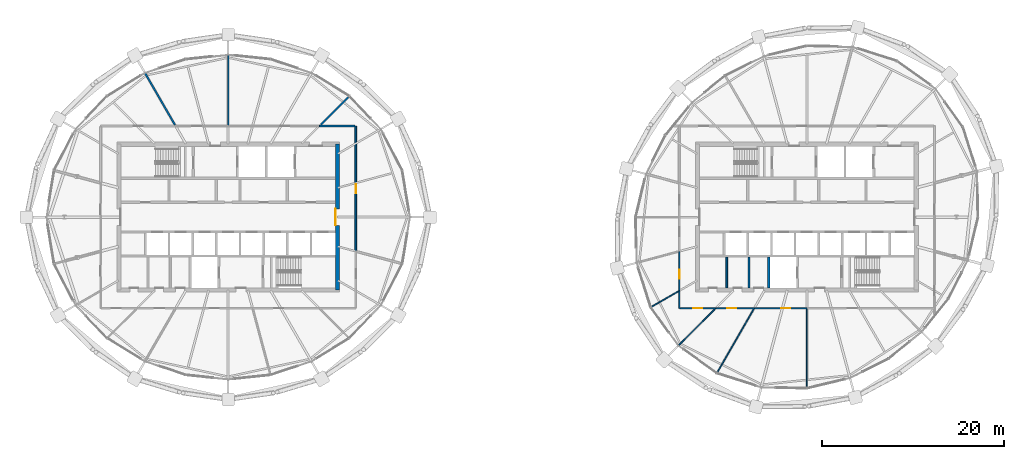
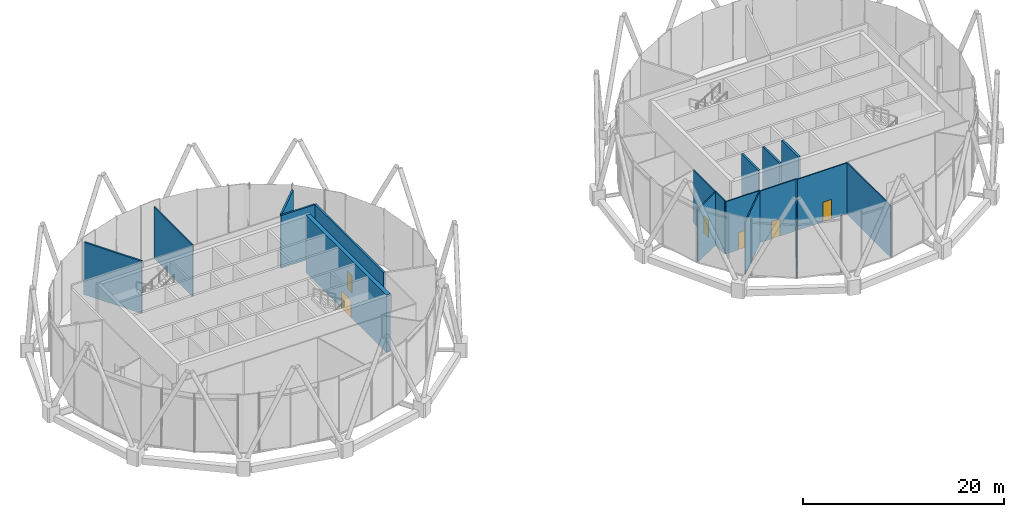
# One storey, part 20 of 28: 18 walls, 6 doors, 6 openings.
"""IFC4 building model written with IfcOpenShell, lengths in metres."""

from ifc_helpers import new_model, si_unit, direction, frame, frame_2d, origin, place, context, subcontext, project, spatial, rectangle, extrude, material, layer, layer_set, type_object, element, fill, save


model = new_model("IFC4")

# Units and contexts
model_context = context("Model", 3, precision=1e-05, world=origin(), true_north=direction((0.0, 1.0)))
body_context = subcontext(model_context, "Body", "Model", "MODEL_VIEW")
ifc_project = project(units=[si_unit("LENGTHUNIT", "METRE"), si_unit("AREAUNIT", "SQUARE_METRE"), si_unit("VOLUMEUNIT", "CUBIC_METRE"), si_unit("PLANEANGLEUNIT", "RADIAN"), si_unit("MASSUNIT", "GRAM", prefix="KILO")], contexts=[model_context])

# Site, building, storey
site_placement = place(None, origin())
site = spatial("IfcSite", under=ifc_project, at=site_placement, CompositionType="ELEMENT")
building_placement = place(site_placement, origin())
building = spatial("IfcBuilding", under=site, at=building_placement, Name="Rimbun Link Towers", CompositionType="ELEMENT")
storey_placement = place(building_placement, frame((0.0, 0.0, 256.10009765625)))
storey = spatial("IfcBuildingStorey", under=building, at=storey_placement, Name="L63", CompositionType="ELEMENT", Elevation=256.10009765625)

# Walls
ifc_material_1 = material(Name="Masonry blockwork", Category="masonry")
ifc_layer_1 = layer(ifc_material_1, 0.199951171875)
ifc_layer_set_1 = layer_set([ifc_layer_1], Name="Core partition 200")
wall_type_1 = type_object("IfcWallType", Name="Core partition 200", PredefinedType="PARTITIONING", material=ifc_layer_set_1)
for number, where, z_axis, x_axis, name in (
    (1, (22.949951171875, -4.39990234375, 0.0), (0.0, 0.0, 1.0), (0.0, -1.0, 0.0), "L63 T2 core wall C1"),
    (2, (25.39990234375, -4.39990234375, 0.0), (0.0, 0.0, 1.0), (0.0, -1.0, 0.0), "L63 T2 core wall C2"),
):
    element("IfcWall", number, at=place(storey_placement, frame(where, z_axis=z_axis, x_axis=x_axis)), inside=storey, type_object=wall_type_1, Name=name, PredefinedType="PARTITIONING", context=body_context, shape_type="SweptSolid", body=[
        extrude(rectangle(XDim=3.375, YDim=0.199951171875, at=frame_2d((1.6875, 0.0))), origin(), (0.0, 0.0, 1.0), 7.0),
    ])

# Wall, opening, door
ifc_material_2 = material(Name="Concrete C60/75", Category="concrete")
ifc_layer_2 = layer(ifc_material_2, 0.449951171875)
ifc_layer_set_2 = layer_set([ifc_layer_2], Name="Core shear wall 450")
wall_type_2 = type_object("IfcWallType", Name="Core shear wall 450", PredefinedType="SHEAR", material=ifc_layer_set_2)
wall_1_placement = place(storey_placement, frame((-19.75, -8.0, 0.0), z_axis=(0.0, 0.0, 1.0), x_axis=(0.0, 1.0, 0.0)))
wall_1 = element("IfcWall", 3, at=wall_1_placement, inside=storey, type_object=wall_type_2, Name="L63 T1 core wall E", PredefinedType="SHEAR", context=body_context, shape_type="SweptSolid", body=[
    extrude(rectangle(XDim=16.0, YDim=0.449951171875, at=frame_2d((8.0, 0.0))), origin(), (0.0, 0.0, 1.0), 7.0),
])
opening_1_placement = place(wall_1_placement, frame((7.10009765625, 0.0, 0.0)))
opening_1 = element("IfcOpeningElement", 4, at=opening_1_placement, cuts=wall_1, Name="Opening C1DCL01E", PredefinedType="OPENING", context=body_context, shape_type="SweptSolid", body=[
    extrude(rectangle(XDim=1.800048828125, YDim=2.10009765625, at=frame_2d((0.89990234375, 1.050048828125))), frame((0.0, 0.23486328125, 0.0), z_axis=(0.0, -1.0, 0.0), x_axis=(1.0, 0.0, 0.0)), (0.0, 0.0, 1.0), 0.469970703125),
])
ifc_material_3 = material(Name="Steel fire door set", Category="steel")
door_type_1 = type_object("IfcDoorType", Name="Core lobby door double", OperationType="DOUBLE_DOOR_SINGLE_SWING", PredefinedType="DOOR", material=ifc_material_3)
door_1_placement = place(opening_1_placement, origin())
door_1 = element("IfcDoor", 5, at=door_1_placement, inside=storey, type_object=door_type_1, Name="L63 T1 lift lobby door", OperationType="DOUBLE_DOOR_SINGLE_SWING", OverallHeight=2.10009765625, OverallWidth=1.800048828125, PredefinedType="DOOR", context=body_context, shape_type="SweptSolid", body=[
    extrude(rectangle(XDim=1.800048828125, YDim=2.10009765625, at=frame_2d((0.89990234375, 1.050048828125))), frame((0.0, 0.22509765625, 0.0), z_axis=(0.0, -1.0, 0.0), x_axis=(1.0, 0.0, 0.0)), (0.0, 0.0, 1.0), 0.050048828125),
])
fill(opening_1, door_1)

ifc_material_4 = material(Name="Concrete blockwork", Category="masonry")
ifc_layer_3 = layer(ifc_material_4, 0.199951171875)
ifc_layer_set_3 = layer_set([ifc_layer_3], Name="Fire partition 200 blockwork")
wall_type_3 = type_object("IfcWallType", Name="Fire partition 200 blockwork", PredefinedType="PARTITIONING", material=ifc_layer_set_3)
wall_2_placement = place(storey_placement, frame((-17.75, -3.751220703125, 0.0), z_axis=(0.0, 0.0, 1.0), x_axis=(0.0, 1.0, 0.0)))
wall_2 = element("IfcWall", 6, at=wall_2_placement, inside=storey, type_object=wall_type_3, Name="TW/PW/L63/009", PredefinedType="PARTITIONING", context=body_context, shape_type="SweptSolid", body=[
    extrude(rectangle(XDim=13.751220703125, YDim=0.199951171875, at=frame_2d((6.87548828125, 0.0))), origin(), (0.0, 0.0, 1.0), 6.393798828125),
])
opening_2_placement = place(wall_2_placement, frame((6.3759765625, 0.0, 0.0)))
opening_2 = element("IfcOpeningElement", 7, at=opening_2_placement, cuts=wall_2, Name="Opening TW D63.07", PredefinedType="OPENING", context=body_context, shape_type="SweptSolid", body=[
    extrude(rectangle(XDim=1.0, YDim=2.10009765625, at=frame_2d((0.5, 1.050048828125))), frame((0.0, 0.10986328125, 0.0), z_axis=(0.0, -1.0, 0.0), x_axis=(1.0, 0.0, 0.0)), (0.0, 0.0, 1.0), 0.219970703125),
])
ifc_material_5 = material(Name="Steel fire door set", Category="steel")
door_type_2 = type_object("IfcDoorType", Name="Fire door single leaf 1000 x 2100", OperationType="NOTDEFINED", PredefinedType="DOOR", material=ifc_material_5)
door_2_placement = place(opening_2_placement, origin())
door_2 = element("IfcDoor", 8, at=door_2_placement, inside=storey, type_object=door_type_2, Name="TW/DR/L63/007", OperationType="SINGLE_SWING_RIGHT", OverallHeight=2.10009765625, OverallWidth=1.0, PredefinedType="DOOR", context=body_context, shape_type="SweptSolid", body=[
    extrude(rectangle(XDim=1.0, YDim=2.10009765625, at=frame_2d((0.5, 1.050048828125))), frame((0.0, 0.02490234375, 0.0), z_axis=(0.0, -1.0, 0.0), x_axis=(1.0, 0.0, 0.0)), (0.0, 0.0, 1.0), 0.050048828125),
])
fill(opening_2, door_2)

# Walls
wall_3_placement = place(storey_placement, frame((-17.85009765625, 10.0, 0.0), z_axis=(0.0, 0.0, 1.0), x_axis=(-1.0, 0.0, 0.0)))
element("IfcWall", 9, at=wall_3_placement, inside=storey, type_object=wall_type_3, Name="TW/PW/L63/010", PredefinedType="PARTITIONING", context=body_context, shape_type="SweptSolid", body=[
    extrude(rectangle(XDim=3.89990234375, YDim=0.199951171875, at=frame_2d((1.949951171875, 0.0))), origin(), (0.0, 0.0, 1.0), 6.393798828125),
])
wall_4_placement = place(storey_placement, frame((-18.498779296875, 13.251220703125, 0.0), z_axis=(0.0, 0.0, 1.0), x_axis=(-0.707106781187, -0.707106781187, 0.0)))
element("IfcWall", 10, at=wall_4_placement, inside=storey, type_object=wall_type_3, Name="TW/PW/L63/023", PredefinedType="PARTITIONING", context=body_context, shape_type="SweptSolid", body=[
    extrude(rectangle(XDim=4.356689453125, YDim=0.199951171875, at=frame_2d((2.17822265625, 0.0))), origin(), (0.0, 0.0, 1.0), 6.393798828125),
])
wall_5_placement = place(storey_placement, frame((-40.90625, 15.859130859375, 0.0), z_axis=(0.0, 0.0, 1.0), x_axis=(0.500009088543, -0.866020156448, 0.0)))
element("IfcWall", 11, at=wall_5_placement, inside=storey, type_object=wall_type_3, Name="TW/PW/L63/025", PredefinedType="PARTITIONING", context=body_context, shape_type="SweptSolid", body=[
    extrude(rectangle(XDim=6.6357421875, YDim=0.199951171875, at=frame_2d((3.31787109375, 0.0))), origin(), (0.0, 0.0, 1.0), 6.346923828125),
])
ifc_material_6 = material(Name="Gypsum board on steel studs", Category="steel")
ifc_layer_4 = layer(ifc_material_6, 0.125)
ifc_layer_set_4 = layer_set([ifc_layer_4], Name="Partition 125 board on studs")
wall_type_4 = type_object("IfcWallType", Name="Partition 125 board on studs", PredefinedType="PARTITIONING", material=ifc_layer_set_4)
wall_6_placement = place(storey_placement, frame((-31.75, 17.764404296875, 0.0), z_axis=(0.0, 0.0, 1.0), x_axis=(0.0, -1.0, 0.0)))
element("IfcWall", 12, at=wall_6_placement, inside=storey, type_object=wall_type_4, Name="TW/PW/L63/024", PredefinedType="PARTITIONING", context=body_context, shape_type="SweptSolid", body=[
    extrude(rectangle(XDim=7.701904296875, YDim=0.125, at=frame_2d((3.85107421875, 0.0))), origin(), (0.0, 0.0, 1.0), 6.266845703125),
])

# Wall, opening, door
wall_7_placement = place(storey_placement, frame((17.75, -3.751220703125, 0.0), z_axis=(0.0, 0.0, 1.0), x_axis=(0.0, -1.0, 0.0)))
wall_7 = element("IfcWall", 13, at=wall_7_placement, inside=storey, type_object=wall_type_4, Name="TW/PW/L63/027", PredefinedType="PARTITIONING", context=body_context, shape_type="SweptSolid", body=[
    extrude(rectangle(XDim=4.331787109375, YDim=0.125, at=frame_2d((2.166015625, 0.0))), origin(), (0.0, 0.0, 1.0), 6.44482421875),
])
opening_3_placement = place(wall_7_placement, frame((2.031005859375, 0.0, 0.0)))
opening_3 = element("IfcOpeningElement", 14, at=opening_3_placement, cuts=wall_7, Name="Opening TW D63.12", PredefinedType="OPENING", context=body_context, shape_type="SweptSolid", body=[
    extrude(rectangle(XDim=1.0, YDim=2.10009765625, at=frame_2d((0.5, 1.050048828125))), frame((0.0, 0.072509765625, 0.0), z_axis=(0.0, -1.0, 0.0), x_axis=(1.0, 0.0, 0.0)), (0.0, 0.0, 1.0), 0.14501953125),
])
ifc_material_7 = material(Name="Timber door set", Category="wood")
door_type_3 = type_object("IfcDoorType", Name="Door single leaf 1000 x 2100", OperationType="NOTDEFINED", PredefinedType="DOOR", material=ifc_material_7)
door_3_placement = place(opening_3_placement, origin())
door_3 = element("IfcDoor", 15, at=door_3_placement, inside=storey, type_object=door_type_3, Name="TW/DR/L63/012", OperationType="SINGLE_SWING_LEFT", OverallHeight=2.10009765625, OverallWidth=1.0, PredefinedType="DOOR", context=body_context, shape_type="SweptSolid", body=[
    extrude(rectangle(XDim=1.0, YDim=2.10009765625, at=frame_2d((0.5, 1.050048828125))), frame((0.0, 0.02490234375, 0.0), z_axis=(0.0, -1.0, 0.0), x_axis=(1.0, 0.0, 0.0)), (0.0, 0.0, 1.0), 0.050048828125),
])
fill(opening_3, door_3)

# Wall
wall_8_placement = place(storey_placement, frame((17.75, -8.0830078125, 0.0), z_axis=(0.0, 0.0, 1.0), x_axis=(0.0, -1.0, 0.0)))
element("IfcWall", 16, at=wall_8_placement, inside=storey, type_object=wall_type_4, Name="TW/PW/L63/028", PredefinedType="PARTITIONING", context=body_context, shape_type="SweptSolid", body=[
    extrude(rectangle(XDim=1.9169921875, YDim=0.125, at=frame_2d((0.95849609375, 0.0))), origin(), (0.0, 0.0, 1.0), 6.496826171875),
])

# Wall, opening, door
wall_9_placement = place(storey_placement, frame((17.8125, -10.0, 0.0), z_axis=(0.0, 0.0, 1.0), x_axis=(1.0, 0.0, 0.0)))
wall_9 = element("IfcWall", 17, at=wall_9_placement, inside=storey, type_object=wall_type_4, Name="TW/PW/L63/029", PredefinedType="PARTITIONING", context=body_context, shape_type="SweptSolid", body=[
    extrude(rectangle(XDim=3.9375, YDim=0.125, at=frame_2d((1.96875, 0.0))), origin(), (0.0, 0.0, 1.0), 6.346923828125),
])
opening_4_placement = place(wall_9_placement, frame((1.468994140625, 0.0, 0.0)))
opening_4 = element("IfcOpeningElement", 18, at=opening_4_placement, cuts=wall_9, Name="Opening TW D63.13", PredefinedType="OPENING", context=body_context, shape_type="SweptSolid", body=[
    extrude(rectangle(XDim=1.0, YDim=2.10009765625, at=frame_2d((0.5, 1.050048828125))), frame((0.0, 0.072509765625, 0.0), z_axis=(0.0, -1.0, 0.0), x_axis=(1.0, 0.0, 0.0)), (0.0, 0.0, 1.0), 0.14501953125),
])
door_4_placement = place(opening_4_placement, origin())
door_4 = element("IfcDoor", 19, at=door_4_placement, inside=storey, type_object=door_type_3, Name="TW/DR/L63/013", OperationType="SINGLE_SWING_RIGHT", OverallHeight=2.10009765625, OverallWidth=1.0, PredefinedType="DOOR", context=body_context, shape_type="SweptSolid", body=[
    extrude(rectangle(XDim=1.0, YDim=2.10009765625, at=frame_2d((0.5, 1.050048828125))), frame((0.0, 0.02490234375, 0.0), z_axis=(0.0, -1.0, 0.0), x_axis=(1.0, 0.0, 0.0)), (0.0, 0.0, 1.0), 0.050048828125),
])
fill(opening_4, door_4)

wall_10_placement = place(storey_placement, frame((21.75, -10.0, 0.0), z_axis=(0.0, 0.0, 1.0), x_axis=(1.0, 0.0, 0.0)))
wall_10 = element("IfcWall", 20, at=wall_10_placement, inside=storey, type_object=wall_type_4, Name="TW/PW/L63/030", PredefinedType="PARTITIONING", context=body_context, shape_type="SweptSolid", body=[
    extrude(rectangle(XDim=4.2265625, YDim=0.125, at=frame_2d((2.11328125, 0.0))), origin(), (0.0, 0.0, 1.0), 6.266845703125),
])
opening_5_placement = place(wall_10_placement, frame((1.263916015625, 0.0, 0.0)))
opening_5 = element("IfcOpeningElement", 21, at=opening_5_placement, cuts=wall_10, Name="Opening TW D63.14", PredefinedType="OPENING", context=body_context, shape_type="SweptSolid", body=[
    extrude(rectangle(XDim=1.0, YDim=2.10009765625, at=frame_2d((0.5, 1.050048828125))), frame((0.0, 0.072509765625, 0.0), z_axis=(0.0, -1.0, 0.0), x_axis=(1.0, 0.0, 0.0)), (0.0, 0.0, 1.0), 0.14501953125),
])
door_5_placement = place(opening_5_placement, origin())
door_5 = element("IfcDoor", 22, at=door_5_placement, inside=storey, type_object=door_type_3, Name="TW/DR/L63/014", OperationType="SINGLE_SWING_LEFT", OverallHeight=2.10009765625, OverallWidth=1.0, PredefinedType="DOOR", context=body_context, shape_type="SweptSolid", body=[
    extrude(rectangle(XDim=1.0, YDim=2.10009765625, at=frame_2d((0.5, 1.050048828125))), frame((0.0, 0.02490234375, 0.0), z_axis=(0.0, -1.0, 0.0), x_axis=(1.0, 0.0, 0.0)), (0.0, 0.0, 1.0), 0.050048828125),
])
fill(opening_5, door_5)

wall_11_placement = place(storey_placement, frame((25.9765625, -10.0, 0.0), z_axis=(0.0, 0.0, 1.0), x_axis=(1.0, 0.0, 0.0)))
wall_11 = element("IfcWall", 23, at=wall_11_placement, inside=storey, type_object=wall_type_4, Name="TW/PW/L63/031", PredefinedType="PARTITIONING", context=body_context, shape_type="SweptSolid", body=[
    extrude(rectangle(XDim=5.7734375, YDim=0.125, at=frame_2d((2.88671875, 0.0))), origin(), (0.0, 0.0, 1.0), 6.197021484375),
])
opening_6_placement = place(wall_11_placement, frame((2.968017578125, 0.0, 0.0)))
opening_6 = element("IfcOpeningElement", 24, at=opening_6_placement, cuts=wall_11, Name="Opening TW D63.15", PredefinedType="OPENING", context=body_context, shape_type="SweptSolid", body=[
    extrude(rectangle(XDim=1.0, YDim=2.39990234375, at=frame_2d((0.5, 1.199951171875))), frame((0.0, 0.072509765625, 0.0), z_axis=(0.0, -1.0, 0.0), x_axis=(1.0, 0.0, 0.0)), (0.0, 0.0, 1.0), 0.14501953125),
])
ifc_material_8 = material(Name="Timber door set", Category="wood")
door_type_4 = type_object("IfcDoorType", Name="Hall door single leaf 1000 x 2400", OperationType="NOTDEFINED", PredefinedType="DOOR", material=ifc_material_8)
door_6_placement = place(opening_6_placement, origin())
door_6 = element("IfcDoor", 25, at=door_6_placement, inside=storey, type_object=door_type_4, Name="TW/DR/L63/015", OperationType="SINGLE_SWING_RIGHT", OverallHeight=2.39990234375, OverallWidth=1.0, PredefinedType="DOOR", context=body_context, shape_type="SweptSolid", body=[
    extrude(rectangle(XDim=1.0, YDim=2.39990234375, at=frame_2d((0.5, 1.199951171875))), frame((0.0, 0.02490234375, 0.0), z_axis=(0.0, -1.0, 0.0), x_axis=(1.0, 0.0, 0.0)), (0.0, 0.0, 1.0), 0.050048828125),
])
fill(opening_6, door_6)

# Walls
wall_12_placement = place(storey_placement, frame((14.66455078125, -9.8642578125, 0.0), z_axis=(0.0, 0.0, 1.0), x_axis=(0.866020819514, 0.500007940106, 0.0)))
element("IfcWall", 26, at=wall_12_placement, inside=storey, type_object=wall_type_4, Name="TW/PW/L63/043", PredefinedType="PARTITIONING", context=body_context, shape_type="SweptSolid", body=[
    extrude(rectangle(XDim=3.45458984375, YDim=0.125, at=frame_2d((1.727294921875, 0.0))), origin(), (0.0, 0.0, 1.0), 6.393798828125),
])
wall_13_placement = place(storey_placement, frame((17.681396484375, -14.068603515625, 0.0), z_axis=(0.0, 0.0, 1.0), x_axis=(0.707106781187, 0.707106781187, 0.0)))
element("IfcWall", 27, at=wall_13_placement, inside=storey, type_object=wall_type_4, Name="TW/PW/L63/045", PredefinedType="PARTITIONING", context=body_context, shape_type="SweptSolid", body=[
    extrude(rectangle(XDim=5.60302734375, YDim=0.125, at=frame_2d((2.801513671875, 0.0))), origin(), (0.0, 0.0, 1.0), 6.346923828125),
])
wall_14_placement = place(storey_placement, frame((21.8857421875, -17.08544921875, 0.0), z_axis=(0.0, 0.0, 1.0), x_axis=(0.499996438971, 0.866027459735, 0.0)))
element("IfcWall", 28, at=wall_14_placement, inside=storey, type_object=wall_type_4, Name="TW/PW/L63/046", PredefinedType="PARTITIONING", context=body_context, shape_type="SweptSolid", body=[
    extrude(rectangle(XDim=8.0732421875, YDim=0.125, at=frame_2d((4.03662109375, 0.0))), origin(), (0.0, 0.0, 1.0), 6.266845703125),
])
wall_15_placement = place(storey_placement, frame((31.75, -18.739990234375, 0.0), z_axis=(0.0, 0.0, 1.0), x_axis=(0.0, 1.0, 0.0)))
element("IfcWall", 29, at=wall_15_placement, inside=storey, type_object=wall_type_4, Name="TW/PW/L63/047", PredefinedType="PARTITIONING", context=body_context, shape_type="SweptSolid", body=[
    extrude(rectangle(XDim=8.677490234375, YDim=0.125, at=frame_2d((4.3388671875, 0.0))), origin(), (0.0, 0.0, 1.0), 6.266845703125),
])
ifc_material_9 = material(Name="Concrete C60/75", Category="concrete")
ifc_layer_5 = layer(ifc_material_9, 0.25)
ifc_layer_set_5 = layer_set([ifc_layer_5], Name="Shaft wall 250")
wall_type_5 = type_object("IfcWallType", Name="Shaft wall 250", PredefinedType="SHEAR", material=ifc_layer_set_5)
wall_16_placement = place(storey_placement, frame((27.574951171875, -4.39990234375, 0.0), z_axis=(0.0, 0.0, 1.0), x_axis=(0.0, -1.0, 0.0)))
element("IfcWall", 30, at=wall_16_placement, inside=storey, type_object=wall_type_5, Name="L63 T2 core wall B3", PredefinedType="SHEAR", context=body_context, shape_type="SweptSolid", body=[
    extrude(rectangle(XDim=3.375, YDim=0.25, at=frame_2d((1.6875, 0.0))), origin(), (0.0, 0.0, 1.0), 7.0),
])

save(model, "model.ifc")
